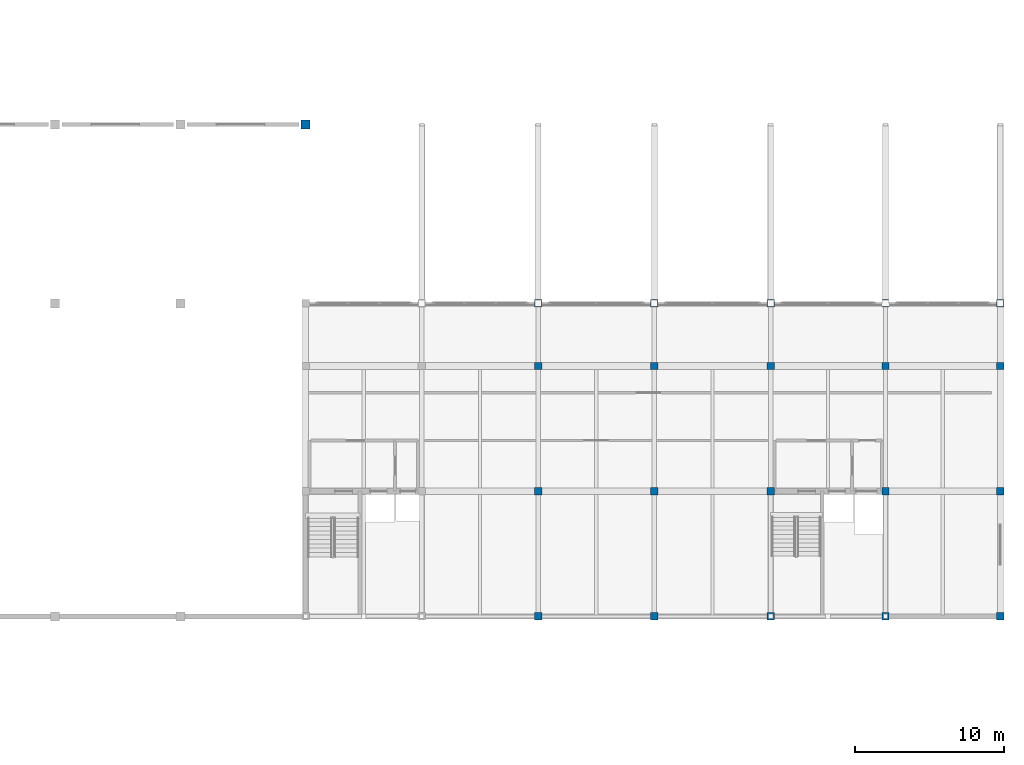
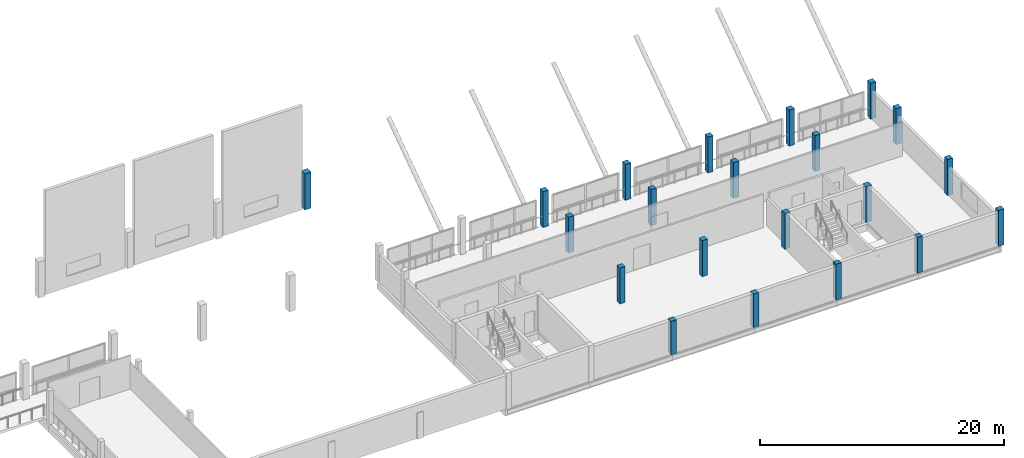
# One storey, part 4 of 51: 21 columns.
"""IFC4 building model written with IfcOpenShell, lengths in metres."""

from ifc_helpers import new_model, si_unit, direction, frame, origin, origin_2d, place, context, subcontext, project, spatial, rectangle, extrude, material, material_profile, profile_set, type_object, element, save


model = new_model("IFC4")

# Units and contexts
model_context = context("Model", 3, precision=1e-05, world=origin(), true_north=direction((0.0, 1.0)))
body_context = subcontext(model_context, "Body", "Model", "MODEL_VIEW")
ifc_project = project(units=[si_unit("LENGTHUNIT", "METRE"), si_unit("AREAUNIT", "SQUARE_METRE"), si_unit("VOLUMEUNIT", "CUBIC_METRE"), si_unit("PLANEANGLEUNIT", "RADIAN"), si_unit("MASSUNIT", "GRAM", prefix="KILO")], contexts=[model_context])

# Site, building, storey
site_placement = place(None, origin())
site = spatial("IfcSite", under=ifc_project, at=site_placement, CompositionType="ELEMENT")
building_placement = place(site_placement, origin())
building = spatial("IfcBuilding", under=site, at=building_placement, Name="Vharandega Faculty of Natural Sciences", CompositionType="ELEMENT")
storey_placement = place(building_placement, frame((0.0, 0.0, 14.39990234375)))
storey = spatial("IfcBuildingStorey", under=building, at=storey_placement, Name="L03", CompositionType="ELEMENT", Elevation=14.39990234375)

# Columns
ifc_material_1 = material(Name="Glulam GL32h", Category="wood")
ifc_material_profile_1 = material_profile(ifc_material_1, rectangle(XDim=0.5, YDim=0.5, at=origin_2d()), Name="GL32h 500x500")
ifc_profile_set_1 = profile_set([ifc_material_profile_1], Name="Glulam GL32h")
column_type_1 = type_object("IfcColumnType", Name="Glulam Column 500x500", PredefinedType="COLUMN", material=ifc_profile_set_1)
column_1_placement = place(storey_placement, frame((130.39990234375, 64.0, 0.0), z_axis=(0.0, 0.0, 1.0), x_axis=(1.0, 0.0, 0.0)))
element("IfcColumn", 1, at=column_1_placement, inside=storey, type_object=column_type_1, Name="Column 17/J L03", PredefinedType="COLUMN", context=body_context, shape_type="SweptSolid", body=[
    extrude(rectangle(XDim=0.5, YDim=0.5, at=origin_2d()), origin(), (0.0, 0.0, 1.0), 3.360107421875),
])
for number, where, z_axis, x_axis, name in (
    (2, (130.39990234375, 72.39990234375, 0.0), (0.0, 0.0, 1.0), (1.0, 0.0, 0.0), "Column 17/K L03"),
    (3, (130.39990234375, 80.800048828125, 0.0), (0.0, 0.0, 1.0), (1.0, 0.0, 0.0), "Column 17/L L03"),
    (4, (130.39990234375, 85.0, 0.0), (0.0, 0.0, 1.0), (1.0, 0.0, 0.0), "Column 17/M L03"),
):
    element("IfcColumn", number, at=place(storey_placement, frame(where, z_axis=z_axis, x_axis=x_axis)), inside=storey, type_object=column_type_1, Name=name, PredefinedType="COLUMN", context=body_context, shape_type="SweptSolid", body=[
        extrude(rectangle(XDim=0.5, YDim=0.5, at=origin_2d()), origin(), (0.0, 0.0, 1.0), 3.60009765625),
    ])
column_2_placement = place(storey_placement, frame((138.199951171875, 64.0, 0.0), z_axis=(0.0, 0.0, 1.0), x_axis=(1.0, 0.0, 0.0)))
element("IfcColumn", 5, at=column_2_placement, inside=storey, type_object=column_type_1, Name="Column 18/J L03", PredefinedType="COLUMN", context=body_context, shape_type="SweptSolid", body=[
    extrude(rectangle(XDim=0.5, YDim=0.5, at=origin_2d()), origin(), (0.0, 0.0, 1.0), 3.360107421875),
])
for number, where, z_axis, x_axis, name in (
    (6, (138.199951171875, 72.39990234375, 0.0), (0.0, 0.0, 1.0), (1.0, 0.0, 0.0), "Column 18/K L03"),
    (7, (138.199951171875, 80.800048828125, 0.0), (0.0, 0.0, 1.0), (1.0, 0.0, 0.0), "Column 18/L L03"),
    (8, (138.199951171875, 85.0, 0.0), (0.0, 0.0, 1.0), (1.0, 0.0, 0.0), "Column 18/M L03"),
    (9, (146.0, 64.0, 0.0), (0.0, 0.0, 1.0), (1.0, 0.0, 0.0), "Column 19/J L03"),
    (10, (146.0, 72.39990234375, 0.0), (0.0, 0.0, 1.0), (1.0, 0.0, 0.0), "Column 19/K L03"),
    (11, (146.0, 80.800048828125, 0.0), (0.0, 0.0, 1.0), (1.0, 0.0, 0.0), "Column 19/L L03"),
    (12, (146.0, 85.0, 0.0), (0.0, 0.0, 1.0), (1.0, 0.0, 0.0), "Column 19/M L03"),
    (13, (153.699951171875, 64.0, 0.0), (0.0, 0.0, 1.0), (1.0, 0.0, 0.0), "Column 20/J L03"),
    (14, (153.699951171875, 72.39990234375, 0.0), (0.0, 0.0, 1.0), (1.0, 0.0, 0.0), "Column 20/K L03"),
    (15, (153.699951171875, 80.800048828125, 0.0), (0.0, 0.0, 1.0), (1.0, 0.0, 0.0), "Column 20/L L03"),
    (16, (153.699951171875, 85.0, 0.0), (0.0, 0.0, 1.0), (1.0, 0.0, 0.0), "Column 20/M L03"),
    (17, (161.39990234375, 64.0, 0.0), (0.0, 0.0, 1.0), (1.0, 0.0, 0.0), "Column 21/J L03"),
    (18, (161.39990234375, 72.39990234375, 0.0), (0.0, 0.0, 1.0), (1.0, 0.0, 0.0), "Column 21/K L03"),
    (19, (161.39990234375, 80.800048828125, 0.0), (0.0, 0.0, 1.0), (1.0, 0.0, 0.0), "Column 21/L L03"),
    (20, (161.39990234375, 85.0, 0.0), (0.0, 0.0, 1.0), (1.0, 0.0, 0.0), "Column 21/M L03"),
):
    element("IfcColumn", number, at=place(storey_placement, frame(where, z_axis=z_axis, x_axis=x_axis)), inside=storey, type_object=column_type_1, Name=name, PredefinedType="COLUMN", context=body_context, shape_type="SweptSolid", body=[
        extrude(rectangle(XDim=0.5, YDim=0.5, at=origin_2d()), origin(), (0.0, 0.0, 1.0), 3.60009765625),
    ])
ifc_material_2 = material(Name="Concrete C40/50", Category="concrete")
ifc_material_profile_2 = material_profile(ifc_material_2, rectangle(XDim=0.60009765625, YDim=0.60009765625, at=origin_2d()), Name="RC 600x600")
ifc_profile_set_2 = profile_set([ifc_material_profile_2], Name="Concrete C40/50")
column_type_2 = type_object("IfcColumnType", Name="RC Column 600x600", PredefinedType="COLUMN", material=ifc_profile_set_2)
column_3_placement = place(storey_placement, frame((114.800048828125, 97.0, 0.0), z_axis=(0.0, 0.0, 1.0), x_axis=(1.0, 0.0, 0.0)))
element("IfcColumn", 21, at=column_3_placement, inside=storey, type_object=column_type_2, Name="Column 15/N L03", PredefinedType="COLUMN", context=body_context, shape_type="SweptSolid", body=[
    extrude(rectangle(XDim=0.60009765625, YDim=0.60009765625, at=origin_2d()), origin(), (0.0, 0.0, 1.0), 3.60009765625),
])

save(model, "model.ifc")
